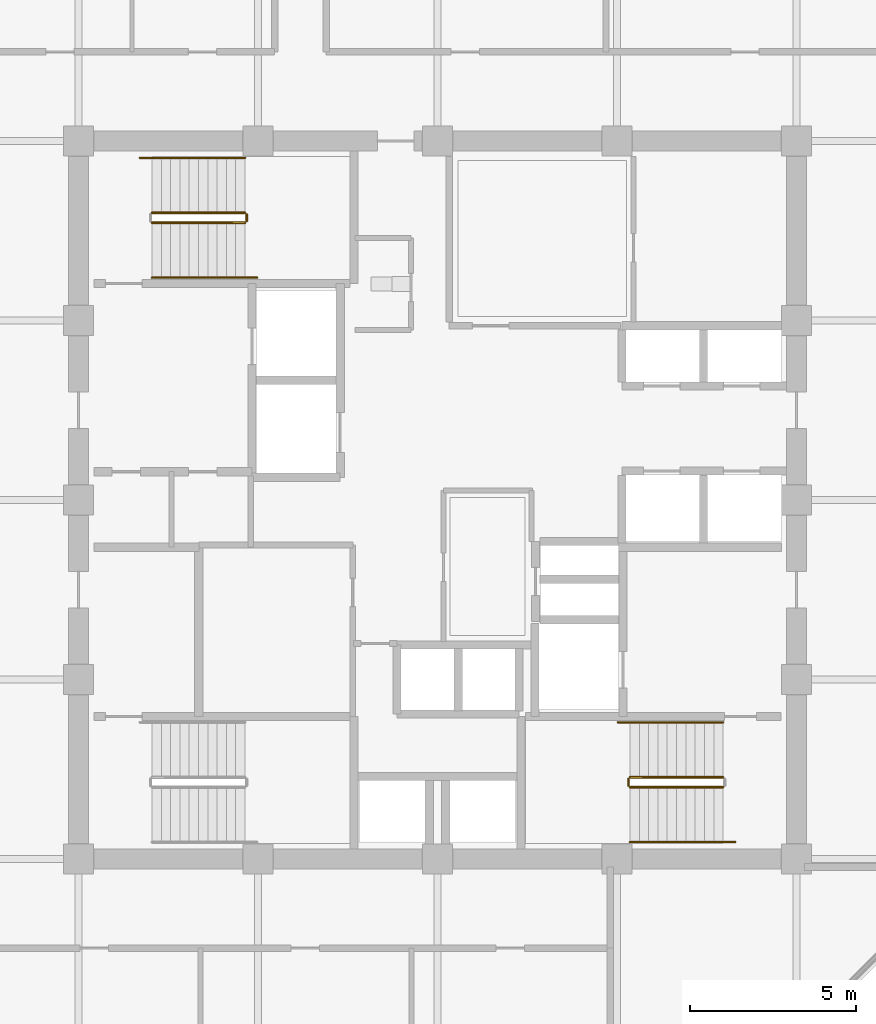
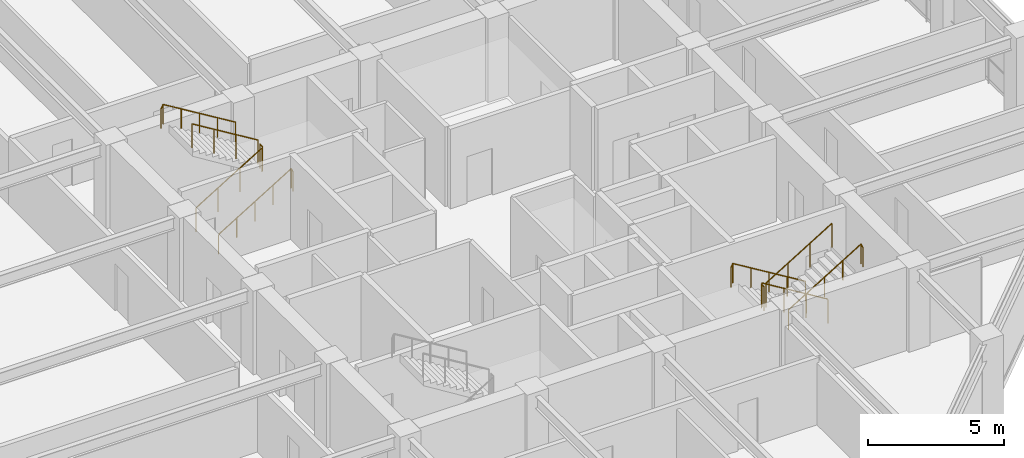
# One storey, part 32 of 36: 10 railings.
"""IFC4 building model written with IfcOpenShell, lengths in metres."""

from ifc_helpers import new_model, si_unit, direction, frame, origin, origin_2d, place, context, subcontext, project, spatial, circle, extrude, material, type_object, element, save


model = new_model("IFC4")

# Units and contexts
model_context = context("Model", 3, precision=1e-05, world=origin(), true_north=direction((0.0, 1.0)))
body_context = subcontext(model_context, "Body", "Model", "MODEL_VIEW")
ifc_project = project(units=[si_unit("LENGTHUNIT", "METRE"), si_unit("AREAUNIT", "SQUARE_METRE"), si_unit("VOLUMEUNIT", "CUBIC_METRE"), si_unit("PLANEANGLEUNIT", "RADIAN"), si_unit("MASSUNIT", "GRAM", prefix="KILO")], contexts=[model_context])

# Site, building, storey
site_placement = place(None, origin())
site = spatial("IfcSite", under=ifc_project, at=site_placement, CompositionType="ELEMENT")
building_placement = place(site_placement, origin())
building = spatial("IfcBuilding", under=site, at=building_placement, Name="Surkhivell Harbour Commons", CompositionType="ELEMENT")
storey_placement = place(building_placement, frame((0.0, 0.0, 171.0)))
storey = spatial("IfcBuildingStorey", under=building, at=storey_placement, Name="L44", CompositionType="ELEMENT", Elevation=171.0)

# Railings
ifc_material_1 = material(Name="Galvanised and painted steel S355 guard rail", Category="steel")
railing_type_1 = type_object("IfcRailingType", Name="RAL-ST-GRD1100", PredefinedType="GUARDRAIL", material=ifc_material_1)
railing_1_placement = place(storey_placement, frame((-8.590087890625, 8.340087890625, 0.17041015625)))
element("IfcRailing", 1, at=railing_1_placement, inside=storey, type_object=railing_type_1, Name="L44 ST1 stair guard 1", PredefinedType="GUARDRAIL", context=body_context, shape_type="SweptSolid", body=[
    extrude(circle(Radius=0.02392578125, at=origin_2d()), frame((0.0, 0.0, 1.076171875), z_axis=(0.854169791009, 0.0, 0.51999420009), x_axis=(0.0, 1.0, 0.0)), (0.0, 0.0, 1.0), 3.278076171875),
    extrude(circle(Radius=0.02099609375, at=origin_2d()), origin(), (0.0, 0.0, 1.0), 1.052001953125),
    extrude(circle(Radius=0.02099609375, at=origin_2d()), frame((0.933349609375, 0.0, 0.568115234375)), (0.0, 0.0, 1.0), 1.052001953125),
    extrude(circle(Radius=0.02099609375, at=origin_2d()), frame((1.86669921875, 0.0, 1.136474609375)), (0.0, 0.0, 1.0), 1.052001953125),
    extrude(circle(Radius=0.02099609375, at=origin_2d()), frame((2.800048828125, 0.0, 1.70458984375)), (0.0, 0.0, 1.0), 1.052001953125),
])
railing_2_placement = place(storey_placement, frame((-5.739990234375, 8.389892578125, 1.875)))
element("IfcRailing", 2, at=railing_2_placement, inside=storey, type_object=railing_type_1, Name="L44 ST1 stair guard 2", PredefinedType="GUARDRAIL", context=body_context, shape_type="SweptSolid", body=[
    extrude(circle(Radius=0.02392578125, at=origin_2d()), frame((0.0, 0.0, 1.076171875), z_axis=(0.0, 1.0, 0.0), x_axis=(-1.0, 0.0, 0.0)), (0.0, 0.0, 1.0), 0.2001953125),
    extrude(circle(Radius=0.02099609375, at=origin_2d()), origin(), (0.0, 0.0, 1.0), 1.052001953125),
    extrude(circle(Radius=0.02099609375, at=origin_2d()), frame((0.0, 0.2001953125, 0.0)), (0.0, 0.0, 1.0), 1.052001953125),
])
for number, where, name in (
    (3, (-5.7900390625, 8.639892578125, 2.04541015625), "L44 ST1 stair guard 3"),
    (4, (8.590087890625, -8.340087890625, 0.17041015625), "L44 ST2 stair guard 1"),
):
    element("IfcRailing", number, at=place(storey_placement, frame(where)), inside=storey, type_object=railing_type_1, Name=name, PredefinedType="GUARDRAIL", context=body_context, shape_type="SweptSolid", body=[
        extrude(circle(Radius=0.02392578125, at=origin_2d()), frame((0.0, 0.0, 1.076171875), z_axis=(-0.854169791009, 0.0, 0.51999420009), x_axis=(0.0, -1.0, 0.0)), (0.0, 0.0, 1.0), 3.278076171875),
        extrude(circle(Radius=0.02099609375, at=origin_2d()), origin(), (0.0, 0.0, 1.0), 1.052001953125),
        extrude(circle(Radius=0.02099609375, at=origin_2d()), frame((-0.933349609375, 0.0, 0.568115234375)), (0.0, 0.0, 1.0), 1.052001953125),
        extrude(circle(Radius=0.02099609375, at=origin_2d()), frame((-1.86669921875, 0.0, 1.136474609375)), (0.0, 0.0, 1.0), 1.052001953125),
        extrude(circle(Radius=0.02099609375, at=origin_2d()), frame((-2.800048828125, 0.0, 1.70458984375)), (0.0, 0.0, 1.0), 1.052001953125),
    ])
railing_3_placement = place(storey_placement, frame((5.739990234375, -8.389892578125, 1.875)))
element("IfcRailing", 5, at=railing_3_placement, inside=storey, type_object=railing_type_1, Name="L44 ST2 stair guard 2", PredefinedType="GUARDRAIL", context=body_context, shape_type="SweptSolid", body=[
    extrude(circle(Radius=0.02392578125, at=origin_2d()), frame((0.0, 0.0, 1.076171875), z_axis=(0.0, -1.0, 0.0), x_axis=(1.0, 0.0, 0.0)), (0.0, 0.0, 1.0), 0.2001953125),
    extrude(circle(Radius=0.02099609375, at=origin_2d()), origin(), (0.0, 0.0, 1.0), 1.052001953125),
    extrude(circle(Radius=0.02099609375, at=origin_2d()), frame((0.0, -0.2001953125, 0.0)), (0.0, 0.0, 1.0), 1.052001953125),
])
railing_4_placement = place(storey_placement, frame((5.7900390625, -8.639892578125, 2.04541015625)))
element("IfcRailing", 6, at=railing_4_placement, inside=storey, type_object=railing_type_1, Name="L44 ST2 stair guard 3", PredefinedType="GUARDRAIL", context=body_context, shape_type="SweptSolid", body=[
    extrude(circle(Radius=0.02392578125, at=origin_2d()), frame((0.0, 0.0, 1.076171875), z_axis=(0.854169791009, 0.0, 0.51999420009), x_axis=(0.0, 1.0, 0.0)), (0.0, 0.0, 1.0), 3.278076171875),
    extrude(circle(Radius=0.02099609375, at=origin_2d()), origin(), (0.0, 0.0, 1.0), 1.052001953125),
    extrude(circle(Radius=0.02099609375, at=origin_2d()), frame((0.933349609375, 0.0, 0.568115234375)), (0.0, 0.0, 1.0), 1.052001953125),
    extrude(circle(Radius=0.02099609375, at=origin_2d()), frame((1.86669921875, 0.0, 1.136474609375)), (0.0, 0.0, 1.0), 1.052001953125),
    extrude(circle(Radius=0.02099609375, at=origin_2d()), frame((2.800048828125, 0.0, 1.70458984375)), (0.0, 0.0, 1.0), 1.052001953125),
])
ifc_material_2 = material(Name="Brushed stainless steel S355 handrail", Category="steel")
railing_type_2 = type_object("IfcRailingType", Name="RAL-ST-HND900", PredefinedType="HANDRAIL", material=ifc_material_2)
railing_5_placement = place(storey_placement, frame((-8.590087890625, 6.68994140625, 0.17041015625)))
element("IfcRailing", 7, at=railing_5_placement, inside=storey, type_object=railing_type_2, Name="L44 ST1 stair handrail 1", PredefinedType="HANDRAIL", context=body_context, shape_type="SweptSolid", body=[
    extrude(circle(Radius=0.02392578125, at=origin_2d()), frame((0.0, 0.0, 0.8759765625), z_axis=(0.854177636135, 0.0, 0.519981313056), x_axis=(0.0, 1.0, 0.0)), (0.0, 0.0, 1.0), 3.60595703125),
    extrude(circle(Radius=0.02392578125, at=origin_2d()), frame((3.080078125, 0.0, 2.7509765625), z_axis=(0.425297416671, 0.0, -0.905053648892), x_axis=(0.0, 1.0, 0.0)), (0.0, 0.0, 1.0), 0.188232421875),
    extrude(circle(Radius=0.02099609375, at=origin_2d()), origin(), (0.0, 0.0, 1.0), 0.851806640625),
    extrude(circle(Radius=0.02099609375, at=origin_2d()), frame((0.77001953125, 0.0, 0.46875)), (0.0, 0.0, 1.0), 0.851806640625),
    extrude(circle(Radius=0.02099609375, at=origin_2d()), frame((1.5400390625, 0.0, 0.9375)), (0.0, 0.0, 1.0), 0.851806640625),
    extrude(circle(Radius=0.02099609375, at=origin_2d()), frame((2.31005859375, 0.0, 1.40625)), (0.0, 0.0, 1.0), 0.851806640625),
    extrude(circle(Radius=0.02099609375, at=origin_2d()), frame((3.080078125, 0.0, 1.875)), (0.0, 0.0, 1.0), 0.851806640625),
    extrude(circle(Radius=0.02099609375, at=origin_2d()), frame((3.16015625, 0.0, 1.70458984375)), (0.0, 0.0, 1.0), 0.851806640625),
])
railing_6_placement = place(storey_placement, frame((-5.7900390625, 10.2900390625, 2.04541015625)))
element("IfcRailing", 8, at=railing_6_placement, inside=storey, type_object=railing_type_2, Name="L44 ST1 stair handrail 2", PredefinedType="HANDRAIL", context=body_context, shape_type="SweptSolid", body=[
    extrude(circle(Radius=0.02392578125, at=origin_2d()), frame((0.0, 0.0, 0.8759765625), z_axis=(-0.854177636135, 0.0, 0.519981313056), x_axis=(0.0, -1.0, 0.0)), (0.0, 0.0, 1.0), 3.60595703125),
    extrude(circle(Radius=0.02392578125, at=origin_2d()), frame((-3.080078125, 0.0, 2.7509765625), z_axis=(-0.424234432967, 0.0, -0.905552398199), x_axis=(0.0, -1.0, 0.0)), (0.0, 0.0, 1.0), 0.188232421875),
    extrude(circle(Radius=0.02099609375, at=origin_2d()), origin(), (0.0, 0.0, 1.0), 0.851806640625),
    extrude(circle(Radius=0.02099609375, at=origin_2d()), frame((-0.77001953125, 0.0, 0.46875)), (0.0, 0.0, 1.0), 0.851806640625),
    extrude(circle(Radius=0.02099609375, at=origin_2d()), frame((-1.5400390625, 0.0, 0.9375)), (0.0, 0.0, 1.0), 0.851806640625),
    extrude(circle(Radius=0.02099609375, at=origin_2d()), frame((-2.31005859375, 0.0, 1.40625)), (0.0, 0.0, 1.0), 0.851806640625),
    extrude(circle(Radius=0.02099609375, at=origin_2d()), frame((-3.080078125, 0.0, 1.875)), (0.0, 0.0, 1.0), 0.851806640625),
    extrude(circle(Radius=0.02099609375, at=origin_2d()), frame((-3.159912109375, 0.0, 1.70458984375)), (0.0, 0.0, 1.0), 0.851806640625),
])
railing_7_placement = place(storey_placement, frame((8.590087890625, -6.68994140625, 0.17041015625)))
element("IfcRailing", 9, at=railing_7_placement, inside=storey, type_object=railing_type_2, Name="L44 ST2 stair handrail 1", PredefinedType="HANDRAIL", context=body_context, shape_type="SweptSolid", body=[
    extrude(circle(Radius=0.02392578125, at=origin_2d()), frame((0.0, 0.0, 0.8759765625), z_axis=(-0.854177636135, 0.0, 0.519981313056), x_axis=(0.0, -1.0, 0.0)), (0.0, 0.0, 1.0), 3.60595703125),
    extrude(circle(Radius=0.02392578125, at=origin_2d()), frame((-3.080078125, 0.0, 2.7509765625), z_axis=(-0.425297416671, 0.0, -0.905053648892), x_axis=(0.0, -1.0, 0.0)), (0.0, 0.0, 1.0), 0.188232421875),
    extrude(circle(Radius=0.02099609375, at=origin_2d()), origin(), (0.0, 0.0, 1.0), 0.851806640625),
    extrude(circle(Radius=0.02099609375, at=origin_2d()), frame((-0.77001953125, 0.0, 0.46875)), (0.0, 0.0, 1.0), 0.851806640625),
    extrude(circle(Radius=0.02099609375, at=origin_2d()), frame((-1.5400390625, 0.0, 0.9375)), (0.0, 0.0, 1.0), 0.851806640625),
    extrude(circle(Radius=0.02099609375, at=origin_2d()), frame((-2.31005859375, 0.0, 1.40625)), (0.0, 0.0, 1.0), 0.851806640625),
    extrude(circle(Radius=0.02099609375, at=origin_2d()), frame((-3.080078125, 0.0, 1.875)), (0.0, 0.0, 1.0), 0.851806640625),
    extrude(circle(Radius=0.02099609375, at=origin_2d()), frame((-3.16015625, 0.0, 1.70458984375)), (0.0, 0.0, 1.0), 0.851806640625),
])
railing_8_placement = place(storey_placement, frame((5.7900390625, -10.2900390625, 2.04541015625)))
element("IfcRailing", 10, at=railing_8_placement, inside=storey, type_object=railing_type_2, Name="L44 ST2 stair handrail 2", PredefinedType="HANDRAIL", context=body_context, shape_type="SweptSolid", body=[
    extrude(circle(Radius=0.02392578125, at=origin_2d()), frame((0.0, 0.0, 0.8759765625), z_axis=(0.854177636135, 0.0, 0.519981313056), x_axis=(0.0, 1.0, 0.0)), (0.0, 0.0, 1.0), 3.60595703125),
    extrude(circle(Radius=0.02392578125, at=origin_2d()), frame((3.080078125, 0.0, 2.7509765625), z_axis=(0.424234432967, 0.0, -0.905552398199), x_axis=(0.0, 1.0, 0.0)), (0.0, 0.0, 1.0), 0.188232421875),
    extrude(circle(Radius=0.02099609375, at=origin_2d()), origin(), (0.0, 0.0, 1.0), 0.851806640625),
    extrude(circle(Radius=0.02099609375, at=origin_2d()), frame((0.77001953125, 0.0, 0.46875)), (0.0, 0.0, 1.0), 0.851806640625),
    extrude(circle(Radius=0.02099609375, at=origin_2d()), frame((1.5400390625, 0.0, 0.9375)), (0.0, 0.0, 1.0), 0.851806640625),
    extrude(circle(Radius=0.02099609375, at=origin_2d()), frame((2.31005859375, 0.0, 1.40625)), (0.0, 0.0, 1.0), 0.851806640625),
    extrude(circle(Radius=0.02099609375, at=origin_2d()), frame((3.080078125, 0.0, 1.875)), (0.0, 0.0, 1.0), 0.851806640625),
    extrude(circle(Radius=0.02099609375, at=origin_2d()), frame((3.159912109375, 0.0, 1.70458984375)), (0.0, 0.0, 1.0), 0.851806640625),
])

save(model, "model.ifc")
